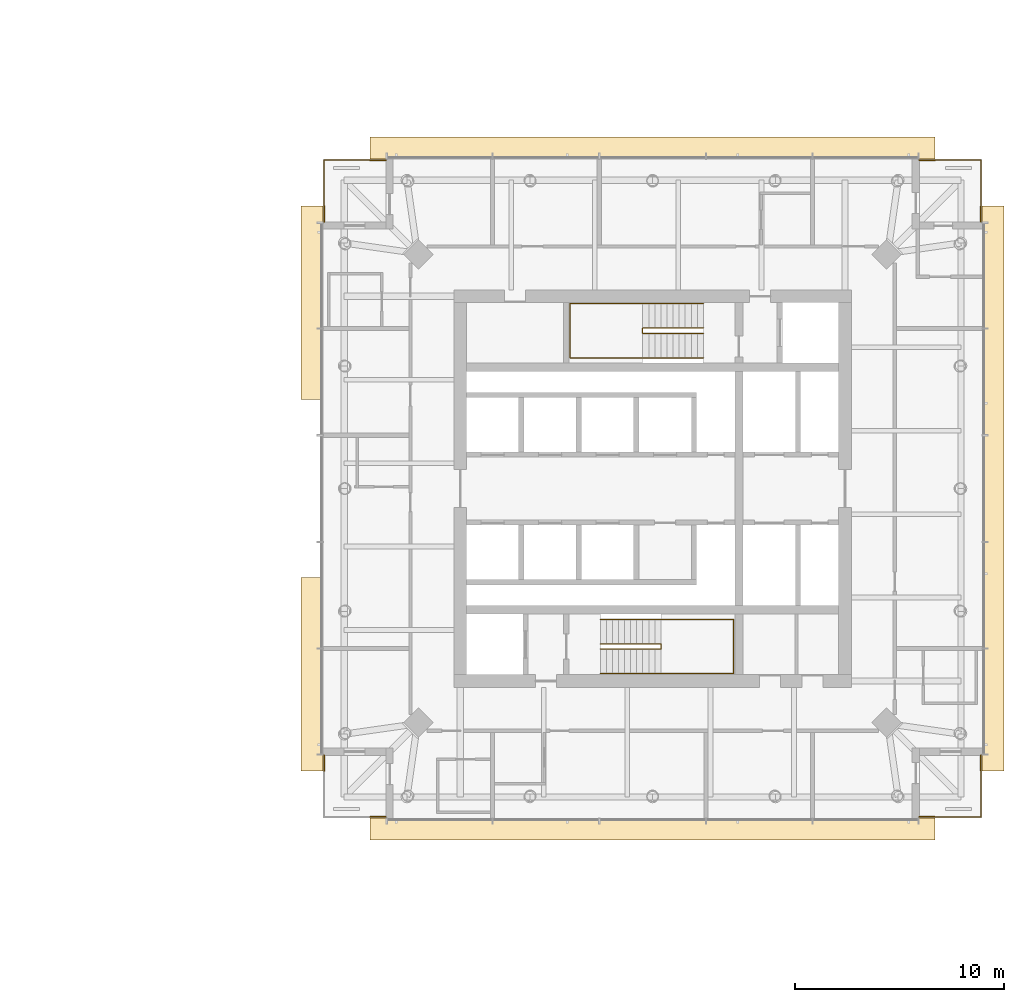
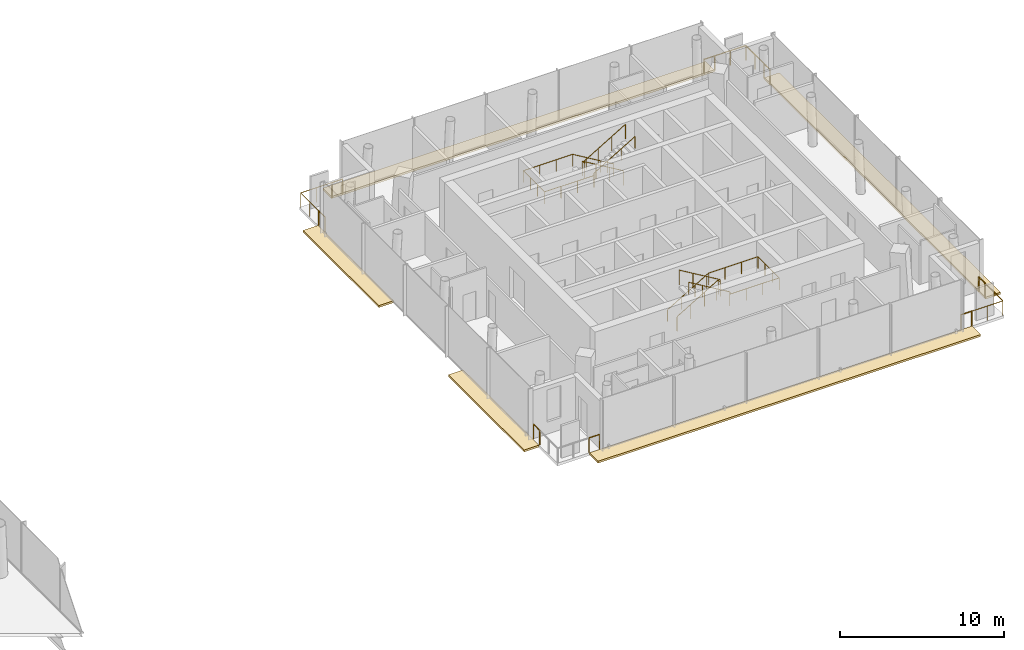
# One storey, part 19 of 19: 15 railings, 5 coverings.
"""IFC4 building model written with IfcOpenShell, lengths in metres."""

from ifc_helpers import new_model, si_unit, direction, frame, origin, origin_2d, place, context, subcontext, project, spatial, polyline, circle, outline, extrude, material, layer, layer_set, type_object, element, save


model = new_model("IFC4")

# Units and contexts
model_context = context("Model", 3, precision=1e-05, world=origin(), true_north=direction((0.0, 1.0)))
body_context = subcontext(model_context, "Body", "Model", "MODEL_VIEW")
ifc_project = project(units=[si_unit("LENGTHUNIT", "METRE"), si_unit("AREAUNIT", "SQUARE_METRE"), si_unit("VOLUMEUNIT", "CUBIC_METRE"), si_unit("PLANEANGLEUNIT", "RADIAN"), si_unit("MASSUNIT", "GRAM", prefix="KILO")], contexts=[model_context])

# Site, building, storey
site_placement = place(None, origin())
site = spatial("IfcSite", under=ifc_project, at=site_placement, CompositionType="ELEMENT")
building_placement = place(site_placement, origin())
building = spatial("IfcBuilding", under=site, at=building_placement, Name="Ostroluk Exchange", CompositionType="ELEMENT")
storey_placement = place(building_placement, frame((0.0, 0.0, 119.800048828125)))
storey = spatial("IfcBuildingStorey", under=building, at=storey_placement, Name="L30", CompositionType="ELEMENT", Elevation=119.800048828125)

# Railings
ifc_material_1 = material(Name="Stainless steel", Category="steel")
railing_type_1 = type_object("IfcRailingType", Name="Guard 1100 stainless steel", PredefinedType="GUARDRAIL", material=ifc_material_1)
railing_1_placement = place(storey_placement, frame((130.5, 30.300048828125, 0.0)))
element("IfcRailing", 1, at=railing_1_placement, inside=storey, type_object=railing_type_1, Name="Hotel tower SE balcony guard L30", PredefinedType="GUARDRAIL", context=body_context, shape_type="SweptSolid", body=[
    extrude(circle(Radius=0.02392578125, at=origin_2d()), frame((0.0, 0.0, 1.076171875), z_axis=(1.0, 0.0, 0.0), x_axis=(0.0, 1.0, 0.0)), (0.0, 0.0, 1.0), 2.199951171875),
    extrude(circle(Radius=0.02392578125, at=origin_2d()), frame((2.199951171875, 0.0, 1.076171875), z_axis=(0.0, 1.0, 0.0), x_axis=(-1.0, 0.0, 0.0)), (0.0, 0.0, 1.0), 2.199951171875),
    extrude(circle(Radius=0.02099609375, at=origin_2d()), origin(), (0.0, 0.0, 1.0), 1.052001953125),
    extrude(circle(Radius=0.02099609375, at=origin_2d()), frame((1.10009765625, 0.0, 0.0)), (0.0, 0.0, 1.0), 1.052001953125),
    extrude(circle(Radius=0.02099609375, at=origin_2d()), frame((2.199951171875, 0.0, 0.0)), (0.0, 0.0, 1.0), 1.052001953125),
    extrude(circle(Radius=0.02099609375, at=origin_2d()), frame((2.199951171875, 1.10009765625, 0.0)), (0.0, 0.0, 1.0), 1.052001953125),
    extrude(circle(Radius=0.02099609375, at=origin_2d()), frame((2.199951171875, 2.199951171875, 0.0)), (0.0, 0.0, 1.0), 1.052001953125),
])
railing_2_placement = place(storey_placement, frame((130.5, 61.699951171875, 0.0)))
element("IfcRailing", 2, at=railing_2_placement, inside=storey, type_object=railing_type_1, Name="Hotel tower NE balcony guard L30", PredefinedType="GUARDRAIL", context=body_context, shape_type="SweptSolid", body=[
    extrude(circle(Radius=0.02392578125, at=origin_2d()), frame((0.0, 0.0, 1.076171875), z_axis=(1.0, 0.0, 0.0), x_axis=(0.0, 1.0, 0.0)), (0.0, 0.0, 1.0), 2.199951171875),
    extrude(circle(Radius=0.02392578125, at=origin_2d()), frame((2.199951171875, 0.0, 1.076171875), z_axis=(0.0, -1.0, 0.0), x_axis=(1.0, 0.0, 0.0)), (0.0, 0.0, 1.0), 2.199951171875),
    extrude(circle(Radius=0.02099609375, at=origin_2d()), origin(), (0.0, 0.0, 1.0), 1.052001953125),
    extrude(circle(Radius=0.02099609375, at=origin_2d()), frame((1.10009765625, 0.0, 0.0)), (0.0, 0.0, 1.0), 1.052001953125),
    extrude(circle(Radius=0.02099609375, at=origin_2d()), frame((2.199951171875, 0.0, 0.0)), (0.0, 0.0, 1.0), 1.052001953125),
    extrude(circle(Radius=0.02099609375, at=origin_2d()), frame((2.199951171875, -1.10009765625, 0.0)), (0.0, 0.0, 1.0), 1.052001953125),
    extrude(circle(Radius=0.02099609375, at=origin_2d()), frame((2.199951171875, -2.199951171875, 0.0)), (0.0, 0.0, 1.0), 1.052001953125),
])
railing_3_placement = place(storey_placement, frame((103.5, 61.699951171875, 0.0)))
element("IfcRailing", 3, at=railing_3_placement, inside=storey, type_object=railing_type_1, Name="Hotel tower NW balcony guard L30", PredefinedType="GUARDRAIL", context=body_context, shape_type="SweptSolid", body=[
    extrude(circle(Radius=0.02392578125, at=origin_2d()), frame((0.0, 0.0, 1.076171875), z_axis=(-1.0, 0.0, 0.0), x_axis=(0.0, -1.0, 0.0)), (0.0, 0.0, 1.0), 2.199951171875),
    extrude(circle(Radius=0.02392578125, at=origin_2d()), frame((-2.199951171875, 0.0, 1.076171875), z_axis=(0.0, -1.0, 0.0), x_axis=(1.0, 0.0, 0.0)), (0.0, 0.0, 1.0), 2.199951171875),
    extrude(circle(Radius=0.02099609375, at=origin_2d()), origin(), (0.0, 0.0, 1.0), 1.052001953125),
    extrude(circle(Radius=0.02099609375, at=origin_2d()), frame((-1.10009765625, 0.0, 0.0)), (0.0, 0.0, 1.0), 1.052001953125),
    extrude(circle(Radius=0.02099609375, at=origin_2d()), frame((-2.199951171875, 0.0, 0.0)), (0.0, 0.0, 1.0), 1.052001953125),
    extrude(circle(Radius=0.02099609375, at=origin_2d()), frame((-2.199951171875, -1.10009765625, 0.0)), (0.0, 0.0, 1.0), 1.052001953125),
    extrude(circle(Radius=0.02099609375, at=origin_2d()), frame((-2.199951171875, -2.199951171875, 0.0)), (0.0, 0.0, 1.0), 1.052001953125),
])
ifc_material_2 = material(Name="Stainless steel", Category="steel")
railing_type_2 = type_object("IfcRailingType", Name="Lockable maintenance gate 1100", PredefinedType="GUARDRAIL", material=ifc_material_2)
railing_4_placement = place(storey_placement, frame((129.75, 30.300048828125, 0.0)))
element("IfcRailing", 4, at=railing_4_placement, inside=storey, type_object=railing_type_2, Name="Lockable maintenance gate T2 L30 SE", PredefinedType="GUARDRAIL", context=body_context, shape_type="SweptSolid", body=[
    extrude(circle(Radius=0.02392578125, at=origin_2d()), frame((0.0, 0.0, 1.076171875), z_axis=(1.0, 0.0, 0.0), x_axis=(0.0, 1.0, 0.0)), (0.0, 0.0, 1.0), 0.75),
    extrude(circle(Radius=0.02099609375, at=origin_2d()), origin(), (0.0, 0.0, 1.0), 1.052001953125),
    extrude(circle(Radius=0.02099609375, at=origin_2d()), frame((0.75, 0.0, 0.0)), (0.0, 0.0, 1.0), 1.052001953125),
])
railing_5_placement = place(storey_placement, frame((132.699951171875, 32.5, 0.0)))
element("IfcRailing", 5, at=railing_5_placement, inside=storey, type_object=railing_type_2, Name="Lockable maintenance gate T2 L30 SE", PredefinedType="GUARDRAIL", context=body_context, shape_type="SweptSolid", body=[
    extrude(circle(Radius=0.02392578125, at=origin_2d()), frame((0.0, 0.0, 1.076171875), z_axis=(0.0, 1.0, 0.0), x_axis=(-1.0, 0.0, 0.0)), (0.0, 0.0, 1.0), 0.75),
    extrude(circle(Radius=0.02099609375, at=origin_2d()), origin(), (0.0, 0.0, 1.0), 1.052001953125),
    extrude(circle(Radius=0.02099609375, at=origin_2d()), frame((0.0, 0.75, 0.0)), (0.0, 0.0, 1.0), 1.052001953125),
])
railing_6_placement = place(storey_placement, frame((129.75, 61.699951171875, 0.0)))
element("IfcRailing", 6, at=railing_6_placement, inside=storey, type_object=railing_type_2, Name="Lockable maintenance gate T2 L30 NE", PredefinedType="GUARDRAIL", context=body_context, shape_type="SweptSolid", body=[
    extrude(circle(Radius=0.02392578125, at=origin_2d()), frame((0.0, 0.0, 1.076171875), z_axis=(1.0, 0.0, 0.0), x_axis=(0.0, 1.0, 0.0)), (0.0, 0.0, 1.0), 0.75),
    extrude(circle(Radius=0.02099609375, at=origin_2d()), origin(), (0.0, 0.0, 1.0), 1.052001953125),
    extrude(circle(Radius=0.02099609375, at=origin_2d()), frame((0.75, 0.0, 0.0)), (0.0, 0.0, 1.0), 1.052001953125),
])
railing_7_placement = place(storey_placement, frame((132.699951171875, 59.5, 0.0)))
element("IfcRailing", 7, at=railing_7_placement, inside=storey, type_object=railing_type_2, Name="Lockable maintenance gate T2 L30 NE", PredefinedType="GUARDRAIL", context=body_context, shape_type="SweptSolid", body=[
    extrude(circle(Radius=0.02392578125, at=origin_2d()), frame((0.0, 0.0, 1.076171875), z_axis=(0.0, -1.0, 0.0), x_axis=(1.0, 0.0, 0.0)), (0.0, 0.0, 1.0), 0.75),
    extrude(circle(Radius=0.02099609375, at=origin_2d()), origin(), (0.0, 0.0, 1.0), 1.052001953125),
    extrude(circle(Radius=0.02099609375, at=origin_2d()), frame((0.0, -0.75, 0.0)), (0.0, 0.0, 1.0), 1.052001953125),
])
railing_8_placement = place(storey_placement, frame((104.25, 61.699951171875, 0.0)))
element("IfcRailing", 8, at=railing_8_placement, inside=storey, type_object=railing_type_2, Name="Lockable maintenance gate T2 L30 NW", PredefinedType="GUARDRAIL", context=body_context, shape_type="SweptSolid", body=[
    extrude(circle(Radius=0.02392578125, at=origin_2d()), frame((0.0, 0.0, 1.076171875), z_axis=(-1.0, 0.0, 0.0), x_axis=(0.0, -1.0, 0.0)), (0.0, 0.0, 1.0), 0.75),
    extrude(circle(Radius=0.02099609375, at=origin_2d()), origin(), (0.0, 0.0, 1.0), 1.052001953125),
    extrude(circle(Radius=0.02099609375, at=origin_2d()), frame((-0.75, 0.0, 0.0)), (0.0, 0.0, 1.0), 1.052001953125),
])
railing_9_placement = place(storey_placement, frame((101.300048828125, 59.5, 0.0)))
element("IfcRailing", 9, at=railing_9_placement, inside=storey, type_object=railing_type_2, Name="Lockable maintenance gate T2 L30 NW", PredefinedType="GUARDRAIL", context=body_context, shape_type="SweptSolid", body=[
    extrude(circle(Radius=0.02392578125, at=origin_2d()), frame((0.0, 0.0, 1.076171875), z_axis=(0.0, -1.0, 0.0), x_axis=(1.0, 0.0, 0.0)), (0.0, 0.0, 1.0), 0.75),
    extrude(circle(Radius=0.02099609375, at=origin_2d()), origin(), (0.0, 0.0, 1.0), 1.052001953125),
    extrude(circle(Radius=0.02099609375, at=origin_2d()), frame((0.0, -0.75, 0.0)), (0.0, 0.0, 1.0), 1.052001953125),
])
railing_10_placement = place(storey_placement, frame((104.25, 30.300048828125, 0.0)))
element("IfcRailing", 10, at=railing_10_placement, inside=storey, type_object=railing_type_2, Name="Lockable maintenance gate T2 L30 SW", PredefinedType="GUARDRAIL", context=body_context, shape_type="SweptSolid", body=[
    extrude(circle(Radius=0.02392578125, at=origin_2d()), frame((0.0, 0.0, 1.076171875), z_axis=(-1.0, 0.0, 0.0), x_axis=(0.0, -1.0, 0.0)), (0.0, 0.0, 1.0), 0.75),
    extrude(circle(Radius=0.02099609375, at=origin_2d()), origin(), (0.0, 0.0, 1.0), 1.052001953125),
    extrude(circle(Radius=0.02099609375, at=origin_2d()), frame((-0.75, 0.0, 0.0)), (0.0, 0.0, 1.0), 1.052001953125),
])
railing_11_placement = place(storey_placement, frame((101.300048828125, 32.5, 0.0)))
element("IfcRailing", 11, at=railing_11_placement, inside=storey, type_object=railing_type_2, Name="Lockable maintenance gate T2 L30 SW", PredefinedType="GUARDRAIL", context=body_context, shape_type="SweptSolid", body=[
    extrude(circle(Radius=0.02392578125, at=origin_2d()), frame((0.0, 0.0, 1.076171875), z_axis=(0.0, 1.0, 0.0), x_axis=(-1.0, 0.0, 0.0)), (0.0, 0.0, 1.0), 0.75),
    extrude(circle(Radius=0.02099609375, at=origin_2d()), origin(), (0.0, 0.0, 1.0), 1.052001953125),
    extrude(circle(Radius=0.02099609375, at=origin_2d()), frame((0.0, 0.75, 0.0)), (0.0, 0.0, 1.0), 1.052001953125),
])

# Coverings
ifc_material_3 = material(Name="Insulated steel roof deck with membrane, laid to falls, aluminium coping", Category="steel")
ifc_layer = layer(ifc_material_3, 0.14990234375)
ifc_layer_set = layer_set([ifc_layer], Name="Setback maintenance roof")
covering_type = type_object("IfcCoveringType", Name="Setback maintenance roof", PredefinedType="ROOFING", material=ifc_layer_set)
covering_1_placement = place(storey_placement, frame((0.0, 0.0, -0.150146484375)))
element("IfcCovering", 12, at=covering_1_placement, inside=storey, type_object=covering_type, Name="Maintenance roof, setback L30 south", PredefinedType="ROOFING", context=body_context, shape_type="SweptSolid", body=[
    extrude(outline(polyline([(103.5, 30.25), (130.5, 30.25), (130.5, 29.199951171875), (103.5, 29.199951171875), (103.5, 30.25)])), origin(), (0.0, 0.0, 1.0), 0.150146484375),
])
covering_2_placement = place(storey_placement, frame((0.0, 0.0, -0.150146484375)))
element("IfcCovering", 13, at=covering_2_placement, inside=storey, type_object=covering_type, Name="Maintenance roof, setback L30 east", PredefinedType="ROOFING", context=body_context, shape_type="SweptSolid", body=[
    extrude(outline(polyline([(132.75, 59.5), (133.800048828125, 59.5), (133.800048828125, 32.5), (132.75, 32.5), (132.75, 59.5)])), origin(), (0.0, 0.0, 1.0), 0.150146484375),
])
covering_3_placement = place(storey_placement, frame((0.0, 0.0, -0.150146484375)))
element("IfcCovering", 14, at=covering_3_placement, inside=storey, type_object=covering_type, Name="Maintenance roof, setback L30 north", PredefinedType="ROOFING", context=body_context, shape_type="SweptSolid", body=[
    extrude(outline(polyline([(103.5, 62.800048828125), (130.5, 62.800048828125), (130.5, 61.75), (103.5, 61.75), (103.5, 62.800048828125)])), origin(), (0.0, 0.0, 1.0), 0.150146484375),
])
covering_4_placement = place(storey_placement, frame((0.0, 0.0, -0.150146484375)))
element("IfcCovering", 15, at=covering_4_placement, inside=storey, type_object=covering_type, Name="Maintenance roof, setback L30 west", PredefinedType="ROOFING", context=body_context, shape_type="SweptSolid", body=[
    extrude(outline(polyline([(100.199951171875, 41.75), (101.25, 41.75), (101.25, 32.5), (100.199951171875, 32.5), (100.199951171875, 41.75)])), origin(), (0.0, 0.0, 1.0), 0.150146484375),
])
covering_5_placement = place(storey_placement, frame((0.0, 0.0, -0.150146484375)))
element("IfcCovering", 16, at=covering_5_placement, inside=storey, type_object=covering_type, Name="Maintenance roof, setback L30 west", PredefinedType="ROOFING", context=body_context, shape_type="SweptSolid", body=[
    extrude(outline(polyline([(100.199951171875, 59.5), (101.25, 59.5), (101.25, 50.25), (100.199951171875, 50.25), (100.199951171875, 59.5)])), origin(), (0.0, 0.0, 1.0), 0.150146484375),
])

# Railings
ifc_material_4 = material(Name="Steel S355", Category="steel")
railing_type_3 = type_object("IfcRailingType", Name="Stair guard 1100", PredefinedType="GUARDRAIL", material=ifc_material_4)
railing_12_placement = place(storey_placement, frame((114.5, 38.580078125, 0.172607421875)))
element("IfcRailing", 17, at=railing_12_placement, inside=storey, type_object=railing_type_3, Name="Stair T2-S1 guard L30", PredefinedType="GUARDRAIL", context=body_context, shape_type="SweptSolid", body=[
    extrude(circle(Radius=0.02392578125, at=origin_2d()), frame((0.0, 0.0, 1.076171875), z_axis=(0.859141464434, 0.0, 0.511738159696), x_axis=(0.0, 1.0, 0.0)), (0.0, 0.0, 1.0), 3.375244140625),
    extrude(circle(Radius=0.02392578125, at=origin_2d()), frame((2.89990234375, 0.0, 2.80322265625), z_axis=(0.0, -1.0, 0.0), x_axis=(1.0, 0.0, 0.0)), (0.0, 0.0, 1.0), 0.260009765625),
    extrude(circle(Radius=0.02392578125, at=origin_2d()), frame((2.89990234375, -0.260009765625, 2.80322265625), z_axis=(0.0, 0.0, 1.0), x_axis=(1.0, 0.0, 0.0)), (0.0, 0.0, 1.0), 0.1728515625),
    extrude(circle(Radius=0.02392578125, at=origin_2d()), frame((2.89990234375, -0.260009765625, 2.97607421875), z_axis=(-0.859141464434, 0.0, 0.511738159696), x_axis=(0.0, -1.0, 0.0)), (0.0, 0.0, 1.0), 3.375244140625),
    extrude(circle(Radius=0.02099609375, at=origin_2d()), origin(), (0.0, 0.0, 1.0), 1.052001953125),
    extrude(circle(Radius=0.02099609375, at=origin_2d()), frame((0.966552734375, 0.0, 0.57568359375)), (0.0, 0.0, 1.0), 1.052001953125),
    extrude(circle(Radius=0.02099609375, at=origin_2d()), frame((1.933349609375, 0.0, 1.151611328125)), (0.0, 0.0, 1.0), 1.052001953125),
    extrude(circle(Radius=0.02099609375, at=origin_2d()), frame((2.89990234375, 0.0, 1.727294921875)), (0.0, 0.0, 1.0), 1.052001953125),
    extrude(circle(Radius=0.02099609375, at=origin_2d()), frame((2.89990234375, -0.260009765625, 1.727294921875)), (0.0, 0.0, 1.0), 1.052001953125),
    extrude(circle(Radius=0.02099609375, at=origin_2d()), frame((2.89990234375, -0.260009765625, 1.900146484375)), (0.0, 0.0, 1.0), 1.052001953125),
    extrude(circle(Radius=0.02099609375, at=origin_2d()), frame((1.933349609375, -0.260009765625, 2.475830078125)), (0.0, 0.0, 1.0), 1.052001953125),
    extrude(circle(Radius=0.02099609375, at=origin_2d()), frame((0.966552734375, -0.260009765625, 3.0517578125)), (0.0, 0.0, 1.0), 1.052001953125),
    extrude(circle(Radius=0.02099609375, at=origin_2d()), frame((0.0, -0.260009765625, 3.62744140625)), (0.0, 0.0, 1.0), 1.052001953125),
])
railing_13_placement = place(storey_placement, frame((119.429931640625, 53.679931640625, 0.172607421875)))
element("IfcRailing", 18, at=railing_13_placement, inside=storey, type_object=railing_type_3, Name="Stair T2-S2 guard L30", PredefinedType="GUARDRAIL", context=body_context, shape_type="SweptSolid", body=[
    extrude(circle(Radius=0.02392578125, at=origin_2d()), frame((0.0, 0.0, 1.076171875), z_axis=(-0.859141464434, 0.0, 0.511738159696), x_axis=(0.0, -1.0, 0.0)), (0.0, 0.0, 1.0), 3.375244140625),
    extrude(circle(Radius=0.02392578125, at=origin_2d()), frame((-2.89990234375, 0.0, 2.80322265625), z_axis=(0.0, -1.0, 0.0), x_axis=(1.0, 0.0, 0.0)), (0.0, 0.0, 1.0), 0.260009765625),
    extrude(circle(Radius=0.02392578125, at=origin_2d()), frame((-2.89990234375, -0.260009765625, 2.80322265625), z_axis=(0.0, 0.0, 1.0), x_axis=(1.0, 0.0, 0.0)), (0.0, 0.0, 1.0), 0.1728515625),
    extrude(circle(Radius=0.02392578125, at=origin_2d()), frame((-2.89990234375, -0.260009765625, 2.97607421875), z_axis=(0.859141464434, 0.0, 0.511738159696), x_axis=(0.0, 1.0, 0.0)), (0.0, 0.0, 1.0), 3.375244140625),
    extrude(circle(Radius=0.02099609375, at=origin_2d()), origin(), (0.0, 0.0, 1.0), 1.052001953125),
    extrude(circle(Radius=0.02099609375, at=origin_2d()), frame((-0.966552734375, 0.0, 0.57568359375)), (0.0, 0.0, 1.0), 1.052001953125),
    extrude(circle(Radius=0.02099609375, at=origin_2d()), frame((-1.933349609375, 0.0, 1.151611328125)), (0.0, 0.0, 1.0), 1.052001953125),
    extrude(circle(Radius=0.02099609375, at=origin_2d()), frame((-2.89990234375, 0.0, 1.727294921875)), (0.0, 0.0, 1.0), 1.052001953125),
    extrude(circle(Radius=0.02099609375, at=origin_2d()), frame((-2.89990234375, -0.260009765625, 1.727294921875)), (0.0, 0.0, 1.0), 1.052001953125),
    extrude(circle(Radius=0.02099609375, at=origin_2d()), frame((-2.89990234375, -0.260009765625, 1.900146484375)), (0.0, 0.0, 1.0), 1.052001953125),
    extrude(circle(Radius=0.02099609375, at=origin_2d()), frame((-1.933349609375, -0.260009765625, 2.475830078125)), (0.0, 0.0, 1.0), 1.052001953125),
    extrude(circle(Radius=0.02099609375, at=origin_2d()), frame((-0.966552734375, -0.260009765625, 3.0517578125)), (0.0, 0.0, 1.0), 1.052001953125),
    extrude(circle(Radius=0.02099609375, at=origin_2d()), frame((0.0, -0.260009765625, 3.62744140625)), (0.0, 0.0, 1.0), 1.052001953125),
])
ifc_material_5 = material(Name="Stainless steel", Category="steel")
railing_type_4 = type_object("IfcRailingType", Name="Stair handrail 900", PredefinedType="HANDRAIL", material=ifc_material_5)
railing_14_placement = place(storey_placement, frame((114.5, 39.75, 0.172607421875)))
element("IfcRailing", 19, at=railing_14_placement, inside=storey, type_object=railing_type_4, Name="Stair T2-S1 handrail L30", PredefinedType="HANDRAIL", context=body_context, shape_type="SweptSolid", body=[
    extrude(circle(Radius=0.02392578125, at=origin_2d()), frame((0.0, 0.0, 0.8759765625), z_axis=(0.859141464434, 0.0, 0.511738159696), x_axis=(0.0, 1.0, 0.0)), (0.0, 0.0, 1.0), 3.375244140625),
    extrude(circle(Radius=0.02392578125, at=origin_2d()), frame((2.89990234375, 0.0, 2.60302734375), z_axis=(1.0, 0.0, 0.0), x_axis=(0.0, 1.0, 0.0)), (0.0, 0.0, 1.0), 3.47998046875),
    extrude(circle(Radius=0.02392578125, at=origin_2d()), frame((6.3798828125, 0.0, 2.60302734375), z_axis=(0.0, -1.0, 0.0), x_axis=(1.0, 0.0, 0.0)), (0.0, 0.0, 1.0), 2.60009765625),
    extrude(circle(Radius=0.02392578125, at=origin_2d()), frame((6.3798828125, -2.60009765625, 2.60302734375), z_axis=(-1.0, 0.0, 0.0), x_axis=(0.0, -1.0, 0.0)), (0.0, 0.0, 1.0), 3.47998046875),
    extrude(circle(Radius=0.02392578125, at=origin_2d()), frame((2.89990234375, -2.60009765625, 2.60302734375), z_axis=(0.0, 0.0, 1.0), x_axis=(1.0, 0.0, 0.0)), (0.0, 0.0, 1.0), 0.1728515625),
    extrude(circle(Radius=0.02392578125, at=origin_2d()), frame((2.89990234375, -2.60009765625, 2.77587890625), z_axis=(-0.859141464434, 0.0, 0.511738159696), x_axis=(0.0, -1.0, 0.0)), (0.0, 0.0, 1.0), 3.375244140625),
    extrude(circle(Radius=0.02099609375, at=origin_2d()), origin(), (0.0, 0.0, 1.0), 0.851806640625),
    extrude(circle(Radius=0.02099609375, at=origin_2d()), frame((0.966552734375, 0.0, 0.57568359375)), (0.0, 0.0, 1.0), 0.851806640625),
    extrude(circle(Radius=0.02099609375, at=origin_2d()), frame((1.933349609375, 0.0, 1.151611328125)), (0.0, 0.0, 1.0), 0.851806640625),
    extrude(circle(Radius=0.02099609375, at=origin_2d()), frame((2.89990234375, 0.0, 1.727294921875)), (0.0, 0.0, 1.0), 0.851806640625),
    extrude(circle(Radius=0.02099609375, at=origin_2d()), frame((4.059814453125, 0.0, 1.727294921875)), (0.0, 0.0, 1.0), 0.851806640625),
    extrude(circle(Radius=0.02099609375, at=origin_2d()), frame((5.219970703125, 0.0, 1.727294921875)), (0.0, 0.0, 1.0), 0.851806640625),
    extrude(circle(Radius=0.02099609375, at=origin_2d()), frame((6.3798828125, 0.0, 1.727294921875)), (0.0, 0.0, 1.0), 0.851806640625),
    extrude(circle(Radius=0.02099609375, at=origin_2d()), frame((6.3798828125, -0.86669921875, 1.727294921875)), (0.0, 0.0, 1.0), 0.851806640625),
    extrude(circle(Radius=0.02099609375, at=origin_2d()), frame((6.3798828125, -1.7333984375, 1.727294921875)), (0.0, 0.0, 1.0), 0.851806640625),
    extrude(circle(Radius=0.02099609375, at=origin_2d()), frame((6.3798828125, -2.60009765625, 1.727294921875)), (0.0, 0.0, 1.0), 0.851806640625),
    extrude(circle(Radius=0.02099609375, at=origin_2d()), frame((5.219970703125, -2.60009765625, 1.727294921875)), (0.0, 0.0, 1.0), 0.851806640625),
    extrude(circle(Radius=0.02099609375, at=origin_2d()), frame((4.059814453125, -2.60009765625, 1.727294921875)), (0.0, 0.0, 1.0), 0.851806640625),
    extrude(circle(Radius=0.02099609375, at=origin_2d()), frame((2.89990234375, -2.60009765625, 1.727294921875)), (0.0, 0.0, 1.0), 0.851806640625),
    extrude(circle(Radius=0.02099609375, at=origin_2d()), frame((2.89990234375, -2.60009765625, 1.900146484375)), (0.0, 0.0, 1.0), 0.851806640625),
    extrude(circle(Radius=0.02099609375, at=origin_2d()), frame((1.933349609375, -2.60009765625, 2.475830078125)), (0.0, 0.0, 1.0), 0.851806640625),
    extrude(circle(Radius=0.02099609375, at=origin_2d()), frame((0.966552734375, -2.60009765625, 3.0517578125)), (0.0, 0.0, 1.0), 0.851806640625),
    extrude(circle(Radius=0.02099609375, at=origin_2d()), frame((0.0, -2.60009765625, 3.62744140625)), (0.0, 0.0, 1.0), 0.851806640625),
])
railing_15_placement = place(storey_placement, frame((119.429931640625, 54.85009765625, 0.172607421875)))
element("IfcRailing", 20, at=railing_15_placement, inside=storey, type_object=railing_type_4, Name="Stair T2-S2 handrail L30", PredefinedType="HANDRAIL", context=body_context, shape_type="SweptSolid", body=[
    extrude(circle(Radius=0.02392578125, at=origin_2d()), frame((0.0, 0.0, 0.8759765625), z_axis=(-0.859141464434, 0.0, 0.511738159696), x_axis=(0.0, -1.0, 0.0)), (0.0, 0.0, 1.0), 3.375244140625),
    extrude(circle(Radius=0.02392578125, at=origin_2d()), frame((-2.89990234375, 0.0, 2.60302734375), z_axis=(-1.0, 0.0, 0.0), x_axis=(0.0, -1.0, 0.0)), (0.0, 0.0, 1.0), 3.47998046875),
    extrude(circle(Radius=0.02392578125, at=origin_2d()), frame((-6.3798828125, 0.0, 2.60302734375), z_axis=(0.0, -1.0, 0.0), x_axis=(1.0, 0.0, 0.0)), (0.0, 0.0, 1.0), 2.60009765625),
    extrude(circle(Radius=0.02392578125, at=origin_2d()), frame((-6.3798828125, -2.60009765625, 2.60302734375), z_axis=(1.0, 0.0, 0.0), x_axis=(0.0, 1.0, 0.0)), (0.0, 0.0, 1.0), 3.47998046875),
    extrude(circle(Radius=0.02392578125, at=origin_2d()), frame((-2.89990234375, -2.60009765625, 2.60302734375), z_axis=(0.0, 0.0, 1.0), x_axis=(1.0, 0.0, 0.0)), (0.0, 0.0, 1.0), 0.1728515625),
    extrude(circle(Radius=0.02392578125, at=origin_2d()), frame((-2.89990234375, -2.60009765625, 2.77587890625), z_axis=(0.859141464434, 0.0, 0.511738159696), x_axis=(0.0, 1.0, 0.0)), (0.0, 0.0, 1.0), 3.375244140625),
    extrude(circle(Radius=0.02099609375, at=origin_2d()), origin(), (0.0, 0.0, 1.0), 0.851806640625),
    extrude(circle(Radius=0.02099609375, at=origin_2d()), frame((-0.966552734375, 0.0, 0.57568359375)), (0.0, 0.0, 1.0), 0.851806640625),
    extrude(circle(Radius=0.02099609375, at=origin_2d()), frame((-1.933349609375, 0.0, 1.151611328125)), (0.0, 0.0, 1.0), 0.851806640625),
    extrude(circle(Radius=0.02099609375, at=origin_2d()), frame((-2.89990234375, 0.0, 1.727294921875)), (0.0, 0.0, 1.0), 0.851806640625),
    extrude(circle(Radius=0.02099609375, at=origin_2d()), frame((-4.059814453125, 0.0, 1.727294921875)), (0.0, 0.0, 1.0), 0.851806640625),
    extrude(circle(Radius=0.02099609375, at=origin_2d()), frame((-5.219970703125, 0.0, 1.727294921875)), (0.0, 0.0, 1.0), 0.851806640625),
    extrude(circle(Radius=0.02099609375, at=origin_2d()), frame((-6.3798828125, 0.0, 1.727294921875)), (0.0, 0.0, 1.0), 0.851806640625),
    extrude(circle(Radius=0.02099609375, at=origin_2d()), frame((-6.3798828125, -0.86669921875, 1.727294921875)), (0.0, 0.0, 1.0), 0.851806640625),
    extrude(circle(Radius=0.02099609375, at=origin_2d()), frame((-6.3798828125, -1.7333984375, 1.727294921875)), (0.0, 0.0, 1.0), 0.851806640625),
    extrude(circle(Radius=0.02099609375, at=origin_2d()), frame((-6.3798828125, -2.60009765625, 1.727294921875)), (0.0, 0.0, 1.0), 0.851806640625),
    extrude(circle(Radius=0.02099609375, at=origin_2d()), frame((-5.219970703125, -2.60009765625, 1.727294921875)), (0.0, 0.0, 1.0), 0.851806640625),
    extrude(circle(Radius=0.02099609375, at=origin_2d()), frame((-4.059814453125, -2.60009765625, 1.727294921875)), (0.0, 0.0, 1.0), 0.851806640625),
    extrude(circle(Radius=0.02099609375, at=origin_2d()), frame((-2.89990234375, -2.60009765625, 1.727294921875)), (0.0, 0.0, 1.0), 0.851806640625),
    extrude(circle(Radius=0.02099609375, at=origin_2d()), frame((-2.89990234375, -2.60009765625, 1.900146484375)), (0.0, 0.0, 1.0), 0.851806640625),
    extrude(circle(Radius=0.02099609375, at=origin_2d()), frame((-1.933349609375, -2.60009765625, 2.475830078125)), (0.0, 0.0, 1.0), 0.851806640625),
    extrude(circle(Radius=0.02099609375, at=origin_2d()), frame((-0.966552734375, -2.60009765625, 3.0517578125)), (0.0, 0.0, 1.0), 0.851806640625),
    extrude(circle(Radius=0.02099609375, at=origin_2d()), frame((0.0, -2.60009765625, 3.62744140625)), (0.0, 0.0, 1.0), 0.851806640625),
])

save(model, "model.ifc")
